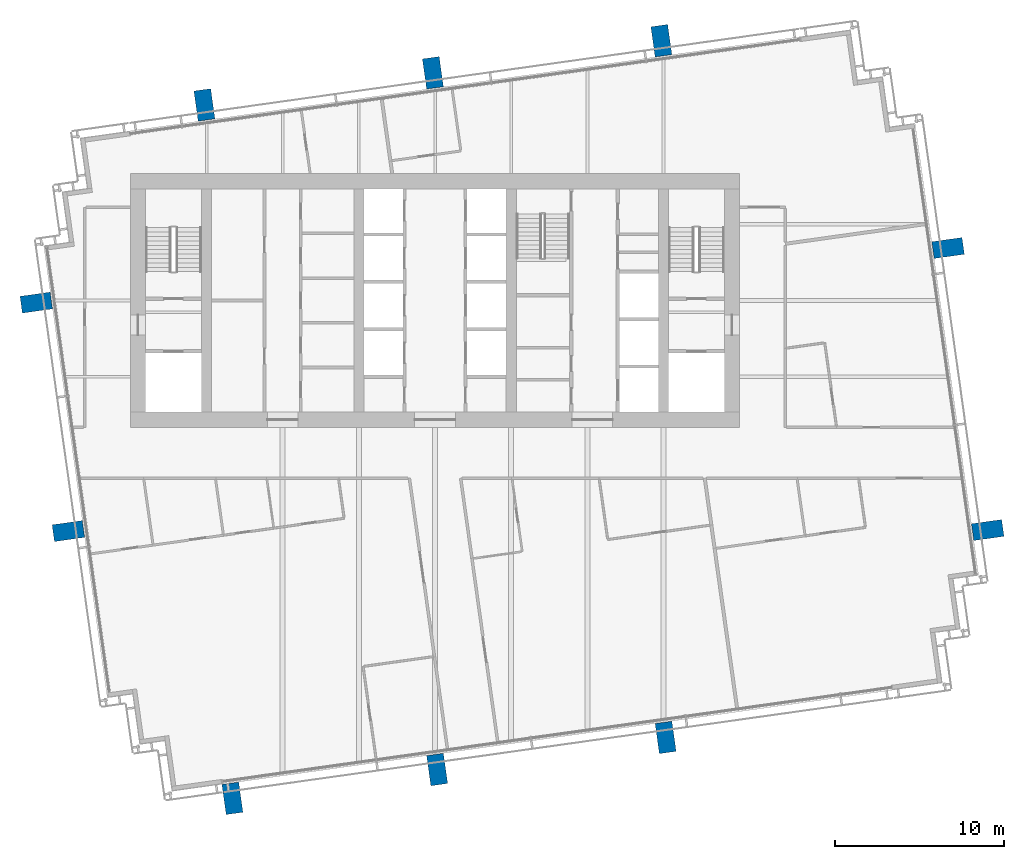
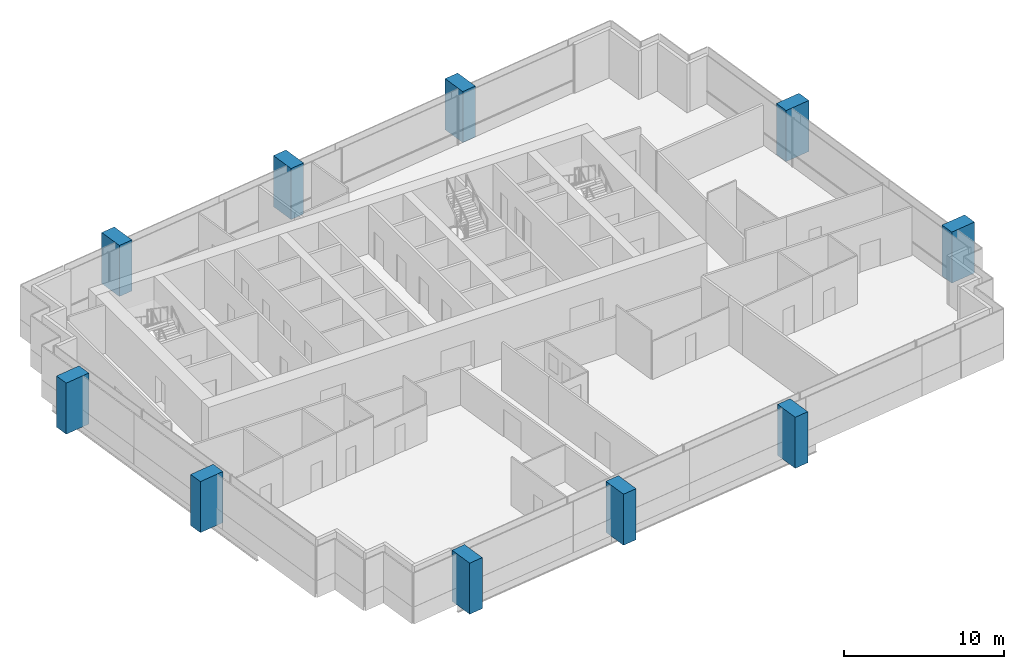
# One storey, part 1 of 18: 10 columns.
"""IFC4 building model written with IfcOpenShell, lengths in metres."""

import ifcopenshell
import ifcopenshell.guid

model = None  # the IFC model being written
_history = None  # IfcOwnerHistory: only IFC2X3 demands one
_inside = {}  # id of a spatial element -> (the spatial element, [elements in it])
_under = {}  # id of a project, library or spatial element -> (it, [spatial elements below it])
_declared = {}  # id of a project -> (the project, [libraries it declares])
_typed = {}  # id of a type object -> (the type object, [elements of that type])
_made_of = {}  # id of a material, layer set ... -> (it, [elements and type objects made of it])


def new_model(schema):
    """Start an empty IFC model of exactly this schema.

    Asked for "IFC4X3", IfcOpenShell would pick the latest addendum, in which some entities
    have other attributes; the version numbers below select the first issue.
    IFC2X3 requires an IfcOwnerHistory on every rooted entity: one is made here for all.
    """
    global model, _history
    if schema == "IFC4X3":
        model = ifcopenshell.file(schema_version=(4, 3, 0, 0))
    else:
        model = ifcopenshell.file(schema=schema)
    _inside.clear()
    _under.clear()
    _declared.clear()
    _typed.clear()
    _made_of.clear()
    _history = None
    if model.schema == "IFC2X3":
        org = make("IfcOrganization", Name="unknown")
        user = make(
            "IfcPersonAndOrganization",
            ThePerson=make("IfcPerson", FamilyName="unknown"),
            TheOrganization=org,
        )
        app = make(
            "IfcApplication",
            ApplicationDeveloper=org,
            Version="unknown",
            ApplicationFullName="unknown",
            ApplicationIdentifier="unknown",
        )
        _history = make(
            "IfcOwnerHistory",
            OwningUser=user,
            OwningApplication=app,
            ChangeAction="ADDED",
            CreationDate=0,
        )
    return model


def make(cls, **values):
    """One entity of the class cls with the attributes given. An attribute that is None is left unset."""
    return model.create_entity(
        cls, **{name: value for name, value in values.items() if value is not None}
    )


def rooted(cls, **values):
    """An entity with a GlobalId (a new one), such as an element, a storey or a relation."""
    return make(cls, GlobalId=ifcopenshell.guid.new(), OwnerHistory=_history, **values)


def si_unit(unit_type, name, prefix=None):
    """IfcSIUnit, for example si_unit("LENGTHUNIT", "METRE", prefix="MILLI")."""
    return make("IfcSIUnit", UnitType=unit_type, Prefix=prefix, Name=name)


def assignment(units):
    """IfcUnitAssignment: the units of a project."""
    return None if units is None else make("IfcUnitAssignment", Units=units)


def point(xyz):
    """IfcCartesianPoint."""
    return None if xyz is None else make("IfcCartesianPoint", Coordinates=xyz)


def direction(xyz):
    """IfcDirection."""
    return None if xyz is None else make("IfcDirection", DirectionRatios=xyz)


def frame(location, z_axis=None, x_axis=None):
    """IfcAxis2Placement3D, a coordinate frame: its origin and axes. An axis left out is left unset."""
    return make(
        "IfcAxis2Placement3D",
        Location=point(location),
        Axis=direction(z_axis),
        RefDirection=direction(x_axis),
    )


def frame_2d(location, x_axis=None):
    """IfcAxis2Placement2D, a coordinate frame in the plane: its origin and x axis."""
    return make(
        "IfcAxis2Placement2D", Location=point(location), RefDirection=direction(x_axis)
    )


def origin():
    """The frame at (0, 0, 0) with its axes left unset."""
    return frame((0.0, 0.0, 0.0))


def origin_2d():
    """The frame at (0, 0) in the plane with its x axis left unset."""
    return frame_2d((0.0, 0.0))


def place(relative_to, where):
    """IfcLocalPlacement: puts the frame where relative to a parent placement (None: the world)."""
    return make(
        "IfcLocalPlacement", PlacementRelTo=relative_to, RelativePlacement=where
    )


def context(
    kind, dimensions, precision=None, world=None, true_north=None, identifier=None
):
    """IfcGeometricRepresentationContext, for example the 3D "Model" context."""
    return make(
        "IfcGeometricRepresentationContext",
        ContextIdentifier=identifier,
        ContextType=kind,
        CoordinateSpaceDimension=dimensions,
        Precision=precision,
        WorldCoordinateSystem=world,
        TrueNorth=true_north,
    )


def subcontext(parent, identifier, kind, view, scale=None):
    """IfcGeometricRepresentationSubContext, for example "Body" below "Model"."""
    return make(
        "IfcGeometricRepresentationSubContext",
        ContextIdentifier=identifier,
        ContextType=kind,
        ParentContext=parent,
        TargetScale=scale,
        TargetView=view,
    )


def project(units=None, contexts=None):
    """IfcProject with its units and contexts."""
    return rooted(
        "IfcProject",
        Name="project",
        RepresentationContexts=contexts,
        UnitsInContext=assignment(units),
    )


def spatial(cls, under=None, at=None, **own):
    """A site, building, storey or space (cls), placed at a placement, below another one or the project."""
    s = rooted(cls, ObjectPlacement=at, **own)
    if under is not None:
        _under.setdefault(under.id(), (under, []))[1].append(s)
    return s


def profile(cls, at=None, kind="AREA", **sizes):
    """A parametric profile (cls). Its sizes go by their IFC names, for example OverallWidth=200.0."""
    return make(cls, ProfileType=kind, Position=at, **sizes)


def rectangle(**sizes):
    """IfcRectangleProfileDef."""
    return profile("IfcRectangleProfileDef", **sizes)


def extrude(swept, where, along, depth):
    """IfcExtrudedAreaSolid: the profile swept, set in the frame where, extruded along a direction by depth."""
    return make(
        "IfcExtrudedAreaSolid",
        SweptArea=swept,
        Position=where,
        ExtrudedDirection=direction(along),
        Depth=depth,
    )


def shape(context_of_items, identifier, shape_type, items):
    """IfcShapeRepresentation: the items that make up one representation, for example the "Body"."""
    return make(
        "IfcShapeRepresentation",
        ContextOfItems=context_of_items,
        RepresentationIdentifier=identifier,
        RepresentationType=shape_type,
        Items=items,
    )


def material(Name=None, Category=None):
    """IfcMaterial."""
    return make("IfcMaterial", Name=Name, Category=Category)


def material_profile(
    of_material, cross_section, Name=None, Category=None, Priority=None
):
    """IfcMaterialProfile: a cross section and its material."""
    return make(
        "IfcMaterialProfile",
        Name=Name,
        Material=of_material,
        Profile=cross_section,
        Priority=Priority,
        Category=Category,
    )


def profile_set(profiles, Name=None, composite=None):
    """IfcMaterialProfileSet."""
    return make(
        "IfcMaterialProfileSet",
        Name=Name,
        MaterialProfiles=profiles,
        CompositeProfile=composite,
    )


def made_of(thing, what):
    """Note that an element or type object is made of a material, layer set ...; save() writes the relation."""
    if what is not None:
        _made_of.setdefault(what.id(), (what, []))[1].append(thing)
    return thing


def type_object(cls, material=None, **own):
    """A type object (cls), such as IfcWallType, which elements share."""
    return made_of(rooted(cls, **own), material)


def element(
    cls,
    number,
    at=None,
    inside=None,
    cuts=None,
    type_object=None,
    material=None,
    context=None,
    identifier="Body",
    shape_type=None,
    held_by="IfcProductDefinitionShape",
    body=None,
    shapes=None,
    **own,
):
    """One element of the class cls, such as IfcWall. Its Tag is "e" and its number.

    at: its placement. inside: the storey or other place that contains it. cuts: it is an
    opening in that element (IfcRelVoidsElement). A single representation is given by context,
    identifier, shape_type and body (its items); several are given by shapes. held_by: the class
    of the entity that holds the representations. save() writes the other relations.
    """
    e = rooted(cls, Tag="e%d" % number, ObjectPlacement=at, **own)
    if body is not None:
        shapes = [shape(context, identifier, shape_type, body)]
    if shapes is not None:
        e.Representation = make(held_by, Representations=shapes)
    if inside is not None:
        _inside.setdefault(inside.id(), (inside, []))[1].append(e)
    if cuts is not None:
        rooted(
            "IfcRelVoidsElement", RelatingBuildingElement=cuts, RelatedOpeningElement=e
        )
    if type_object is not None:
        _typed.setdefault(type_object.id(), (type_object, []))[1].append(e)
    return made_of(e, material)


def aggregate(whole, parts):
    """IfcRelAggregates: a whole, such as a stair, and the parts it consists of."""
    return rooted("IfcRelAggregates", RelatingObject=whole, RelatedObjects=parts)


def save(model, path):
    """Write the relations noted so far, then the file.

    IfcRelAggregates (storeys below a building ...), IfcRelContainedInSpatialStructure (elements
    in a storey), IfcRelDefinesByType, IfcRelAssociatesMaterial and IfcRelDeclares: one each for
    every whole, place, type object, material and project.
    """
    for whole, parts in _under.values():
        aggregate(whole, parts)
    for where, things in _inside.values():
        rooted(
            "IfcRelContainedInSpatialStructure",
            RelatedElements=things,
            RelatingStructure=where,
        )
    for kind, things in _typed.values():
        rooted("IfcRelDefinesByType", RelatedObjects=things, RelatingType=kind)
    for what, things in _made_of.values():
        rooted("IfcRelAssociatesMaterial", RelatedObjects=things, RelatingMaterial=what)
    for by, libraries in _declared.values():
        rooted("IfcRelDeclares", RelatingContext=by, RelatedDefinitions=libraries)
    model.write(path)


model = new_model("IFC4")

# Units and contexts
model_context = context("Model", 3, precision=1e-05, world=origin(), true_north=direction((0.0, 1.0)))
body_context = subcontext(model_context, "Body", "Model", "MODEL_VIEW")
ifc_project = project(units=[si_unit("LENGTHUNIT", "METRE"), si_unit("AREAUNIT", "SQUARE_METRE"), si_unit("VOLUMEUNIT", "CUBIC_METRE"), si_unit("PLANEANGLEUNIT", "RADIAN"), si_unit("MASSUNIT", "GRAM", prefix="KILO")], contexts=[model_context])

# Site, building, storey
site_placement = place(None, origin())
site = spatial("IfcSite", under=ifc_project, at=site_placement, CompositionType="ELEMENT")
building_placement = place(site_placement, origin())
building = spatial("IfcBuilding", under=site, at=building_placement, Name="Rattan Terrace Tower", CompositionType="ELEMENT")
storey_placement = place(building_placement, frame((0.0, 0.0, 233.0)))
storey = spatial("IfcBuildingStorey", under=building, at=storey_placement, Name="L53", CompositionType="ELEMENT", Elevation=233.0)

# Columns
ifc_material = material(Name="Concrete C40/50", Category="concrete")
ifc_material_profile = material_profile(ifc_material, rectangle(XDim=1.0, YDim=1.800048828125, at=origin_2d()), Name="CFT 1800x1000")
ifc_profile_set = profile_set([ifc_material_profile], Name="Concrete C40/50")
column_type = type_object("IfcColumnType", Name="Frame exoskeleton column CFT 1800x1000", PredefinedType="COLUMN", material=ifc_profile_set)
for number, where, z_axis, x_axis, name in (
    (1, (-11.970947265625, -29.416015625, -0.199951171875), (0.0, 0.0, 1.0), (0.990268068742, 0.13917310096, 0.0), "exo-L53-001"),
    (2, (0.125, -27.716064453125, -0.199951171875), (0.0, 0.0, 1.0), (0.990268068742, 0.13917310096, 0.0), "exo-L53-002"),
    (3, (13.625, -25.818115234375, -0.199951171875), (0.0, 0.0, 1.0), (0.990268068742, 0.13917310096, 0.0), "exo-L53-003"),
    (4, (-21.6630859375, -13.625, -0.199951171875), (0.0, 0.0, 1.0), (-0.139190384377, 0.990265639562, 0.0), "exo-L53-004"),
    (5, (32.657958984375, -13.56494140625, -0.199951171875), (0.0, 0.0, 1.0), (-0.139190384377, 0.990265639562, 0.0), "exo-L53-005"),
    (6, (-23.56103515625, -0.125, -0.199951171875), (0.0, 0.0, 1.0), (-0.139190384377, 0.990265639562, 0.0), "exo-L53-006"),
    (7, (30.31494140625, 3.10009765625, -0.199951171875), (0.0, 0.0, 1.0), (-0.139190384377, 0.990265639562, 0.0), "exo-L53-007"),
    (8, (-13.625, 11.552978515625, -0.199951171875), (0.0, 0.0, 1.0), (0.990268068742, 0.13917310096, 0.0), "exo-L53-008"),
    (9, (-0.125, 13.450927734375, -0.199951171875), (0.0, 0.0, 1.0), (0.990268068742, 0.13917310096, 0.0), "exo-L53-009"),
    (10, (13.375, 15.347900390625, -0.199951171875), (0.0, 0.0, 1.0), (0.990268068742, 0.13917310096, 0.0), "exo-L53-010"),
):
    element("IfcColumn", number, at=place(storey_placement, frame(where, z_axis=z_axis, x_axis=x_axis)), inside=storey, type_object=column_type, Name=name, PredefinedType="COLUMN", context=body_context, shape_type="SweptSolid", body=[
        extrude(rectangle(XDim=1.0, YDim=1.800048828125, at=origin_2d()), origin(), (0.0, 0.0, 1.0), 3.89990234375),
    ])

save(model, "model.ifc")
